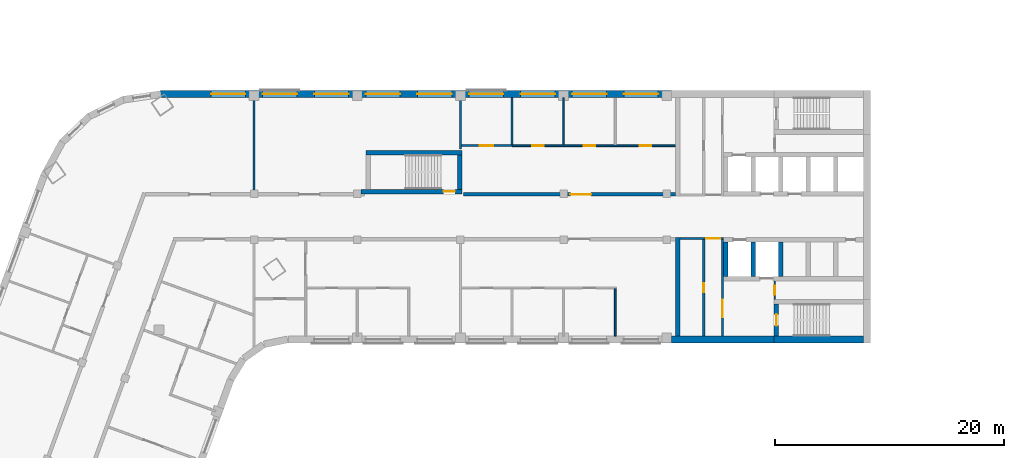
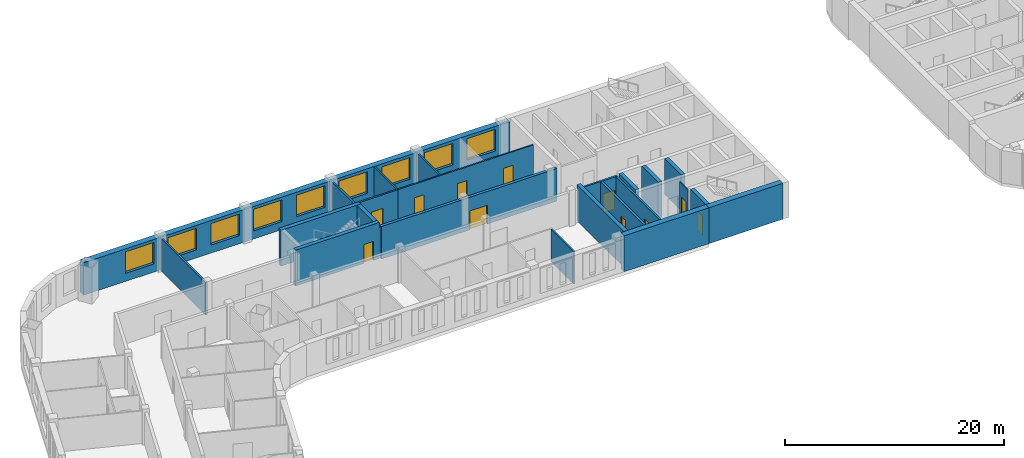
# One storey, part 5 of 12: 23 walls, 11 doors, 9 windows, 20 openings.
"""IFC4 building model written with IfcOpenShell, lengths in metres."""

from ifc_helpers import new_model, si_unit, direction, frame, frame_2d, origin, place, context, subcontext, project, spatial, rectangle, extrude, material, layer, layer_set, type_object, element, fill, save


model = new_model("IFC4")

# Units and contexts
model_context = context("Model", 3, precision=1e-05, world=origin(), true_north=direction((0.0, 1.0)))
body_context = subcontext(model_context, "Body", "Model", "MODEL_VIEW")
ifc_project = project(units=[si_unit("LENGTHUNIT", "METRE"), si_unit("AREAUNIT", "SQUARE_METRE"), si_unit("VOLUMEUNIT", "CUBIC_METRE"), si_unit("PLANEANGLEUNIT", "RADIAN"), si_unit("MASSUNIT", "GRAM", prefix="KILO")], contexts=[model_context])

# Site, building, storey
site_placement = place(None, origin())
site = spatial("IfcSite", under=ifc_project, at=site_placement, CompositionType="ELEMENT")
building_placement = place(site_placement, origin())
building = spatial("IfcBuilding", under=site, at=building_placement, Name="Skarvind Civic Tower", CompositionType="ELEMENT")
storey_placement = place(building_placement, frame((0.0, 0.0, 85.0)))
storey = spatial("IfcBuildingStorey", under=building, at=storey_placement, Name="L19", CompositionType="ELEMENT", Elevation=85.0)

# Walls
ifc_material_1 = material(Name="Acoustic gypsum board on steel studs", Category="steel")
ifc_layer_1 = layer(ifc_material_1, 0.175048828125)
ifc_layer_set_1 = layer_set([ifc_layer_1], Name="ACOUSTIC MEETING-ROOM PARTITION 175")
wall_type_1 = type_object("IfcWallType", Name="ACOUSTIC MEETING-ROOM PARTITION 175", PredefinedType="PARTITIONING", material=ifc_layer_set_1)
wall_1_placement = place(storey_placement, frame((54.25, 138.39990234375, 0.0), z_axis=(0.0, 0.0, 1.0), x_axis=(0.0, -1.0, 0.0)))
element("IfcWall", 1, at=wall_1_placement, inside=storey, type_object=wall_type_1, Name="Partition 19.022", PredefinedType="PARTITIONING", context=body_context, shape_type="SweptSolid", body=[
    extrude(rectangle(XDim=8.2998046875, YDim=0.175048828125, at=frame_2d((4.14990234375, 0.0))), origin(), (0.0, 0.0, 1.0), 3.625),
])
wall_2_placement = place(storey_placement, frame((72.25, 133.89990234375, 0.0), z_axis=(0.0, 0.0, 1.0), x_axis=(0.0, 1.0, 0.0)))
element("IfcWall", 2, at=wall_2_placement, inside=storey, type_object=wall_type_1, Name="Partition 19.029", PredefinedType="PARTITIONING", context=body_context, shape_type="SweptSolid", body=[
    extrude(rectangle(XDim=4.5, YDim=0.175048828125, at=frame_2d((2.25, 0.0))), origin(), (0.0, 0.0, 1.0), 3.625),
])

# Wall, opening, door
wall_3_placement = place(storey_placement, frame((76.75, 134.199951171875, 0.0), z_axis=(0.0, 0.0, 1.0), x_axis=(-1.0, 0.0, 0.0)))
wall_3 = element("IfcWall", 3, at=wall_3_placement, inside=storey, type_object=wall_type_1, Name="Partition 19.030", PredefinedType="PARTITIONING", context=body_context, shape_type="SweptSolid", body=[
    extrude(rectangle(XDim=4.412109375, YDim=0.175048828125, at=frame_2d((2.2060546875, 0.0))), origin(), (0.0, 0.0, 1.0), 3.625),
])
opening_1_placement = place(wall_3_placement, frame((1.615966796875, 0.0, 0.0)))
opening_1 = element("IfcOpeningElement", 4, at=opening_1_placement, cuts=wall_3, Name="Opening L19-D004", PredefinedType="OPENING", context=body_context, shape_type="SweptSolid", body=[
    extrude(rectangle(XDim=1.199951171875, YDim=2.10009765625, at=frame_2d((0.60009765625, 1.050048828125))), frame((0.0, 0.097412109375, 0.0), z_axis=(0.0, -1.0, 0.0), x_axis=(1.0, 0.0, 0.0)), (0.0, 0.0, 1.0), 0.195068359375),
])
ifc_material_2 = material(Name="Timber door leaf", Category="wood")
door_type_1 = type_object("IfcDoorType", Name="DOOR 1200X2100 DOUBLE TIMBER", OperationType="NOTDEFINED", PredefinedType="DOOR", material=ifc_material_2)
door_1_placement = place(opening_1_placement, origin())
door_1 = element("IfcDoor", 5, at=door_1_placement, inside=storey, type_object=door_type_1, Name="Door L19-D004", OperationType="DOUBLE_DOOR_SINGLE_SWING", OverallHeight=2.10009765625, OverallWidth=1.199951171875, PredefinedType="DOOR", context=body_context, shape_type="SweptSolid", body=[
    extrude(rectangle(XDim=1.199951171875, YDim=2.10009765625, at=frame_2d((0.60009765625, 1.050048828125))), frame((0.0, 0.02490234375, 0.0), z_axis=(0.0, -1.0, 0.0), x_axis=(1.0, 0.0, 0.0)), (0.0, 0.0, 1.0), 0.050048828125),
])
fill(opening_1, door_1)

# Wall
wall_4_placement = place(storey_placement, frame((76.75, 134.2880859375, 0.0), z_axis=(0.0, 0.0, 1.0), x_axis=(0.0, 1.0, 0.0)))
element("IfcWall", 6, at=wall_4_placement, inside=storey, type_object=wall_type_1, Name="Partition 19.033", PredefinedType="PARTITIONING", context=body_context, shape_type="SweptSolid", body=[
    extrude(rectangle(XDim=4.11181640625, YDim=0.175048828125, at=frame_2d((2.055908203125, 0.0))), origin(), (0.0, 0.0, 1.0), 3.625),
])

# Wall, opening, door
ifc_material_3 = material(Name="Fire-rated gypsum board on steel studs", Category="steel")
ifc_layer_2 = layer(ifc_material_3, 0.300048828125)
ifc_layer_set_2 = layer_set([ifc_layer_2], Name="CORRIDOR WALL 300")
wall_type_2 = type_object("IfcWallType", Name="CORRIDOR WALL 300", PredefinedType="PARTITIONING", material=ifc_layer_set_2)
wall_5_placement = place(storey_placement, frame((72.5, 129.949951171875, 0.0), z_axis=(0.0, 0.0, 1.0), x_axis=(1.0, 0.0, 0.0)))
wall_5 = element("IfcWall", 7, at=wall_5_placement, inside=storey, type_object=wall_type_2, Name="Partition 19.031", PredefinedType="PARTITIONING", context=body_context, shape_type="SweptSolid", body=[
    extrude(rectangle(XDim=18.5, YDim=0.300048828125, at=frame_2d((9.25, 0.0))), origin(), (0.0, 0.0, 1.0), 3.625),
])
opening_2_placement = place(wall_5_placement, frame((9.35009765625, 0.0, 0.0)))
opening_2 = element("IfcOpeningElement", 8, at=opening_2_placement, cuts=wall_5, Name="Opening L19-D005", PredefinedType="OPENING", context=body_context, shape_type="SweptSolid", body=[
    extrude(rectangle(XDim=1.800048828125, YDim=2.10009765625, at=frame_2d((0.89990234375, 1.050048828125))), frame((0.0, 0.159912109375, 0.0), z_axis=(0.0, -1.0, 0.0), x_axis=(1.0, 0.0, 0.0)), (0.0, 0.0, 1.0), 0.320068359375),
])
ifc_material_4 = material(Name="Fire-rated timber door leaf", Category="wood")
door_type_2 = type_object("IfcDoorType", Name="FD4 1800x2100", OperationType="NOTDEFINED", PredefinedType="DOOR", material=ifc_material_4)
door_2_placement = place(opening_2_placement, origin())
door_2 = element("IfcDoor", 9, at=door_2_placement, inside=storey, type_object=door_type_2, Name="Door L19-D005", OperationType="DOUBLE_DOOR_SINGLE_SWING", OverallHeight=2.10009765625, OverallWidth=1.800048828125, PredefinedType="DOOR", context=body_context, shape_type="SweptSolid", body=[
    extrude(rectangle(XDim=1.800048828125, YDim=2.10009765625, at=frame_2d((0.89990234375, 1.050048828125))), frame((0.0, 0.02490234375, 0.0), z_axis=(0.0, -1.0, 0.0), x_axis=(1.0, 0.0, 0.0)), (0.0, 0.0, 1.0), 0.050048828125),
])
fill(opening_2, door_2)

ifc_material_5 = material(Name="Fire-rated masonry partition", Category="masonry")
ifc_layer_3 = layer(ifc_material_5, 0.199951171875)
ifc_layer_set_3 = layer_set([ifc_layer_3], Name="Core enclosure wall 200")
wall_type_3 = type_object("IfcWallType", Name="Core enclosure wall 200", PredefinedType="PARTITIONING", material=ifc_layer_set_3)
wall_6_placement = place(storey_placement, frame((95.199951171875, 126.10009765625, 0.0), z_axis=(0.0, 0.0, 1.0), x_axis=(-1.0, 0.0, 0.0)))
wall_6 = element("IfcWall", 10, at=wall_6_placement, inside=storey, type_object=wall_type_3, Name="Core wall C1", PredefinedType="PARTITIONING", context=body_context, shape_type="SweptSolid", body=[
    extrude(rectangle(XDim=3.800048828125, YDim=0.199951171875, at=frame_2d((1.89990234375, 0.0))), origin(), (0.0, 0.0, 1.0), 3.625),
])
opening_3_placement = place(wall_6_placement, frame((0.300048828125, 0.0, 0.0)))
opening_3 = element("IfcOpeningElement", 11, at=opening_3_placement, cuts=wall_6, Name="Opening D-L19-C1-05", PredefinedType="OPENING", context=body_context, shape_type="SweptSolid", body=[
    extrude(rectangle(XDim=1.199951171875, YDim=2.10009765625, at=frame_2d((0.60009765625, 1.050048828125))), frame((0.0, 0.10986328125, 0.0), z_axis=(0.0, -1.0, 0.0), x_axis=(1.0, 0.0, 0.0)), (0.0, 0.0, 1.0), 0.219970703125),
])
ifc_material_6 = material(Name="Fire-rated steel door", Category="steel")
door_type_3 = type_object("IfcDoorType", Name="Core lobby door 1200", OperationType="NOTDEFINED", PredefinedType="DOOR", material=ifc_material_6)
door_3_placement = place(opening_3_placement, origin())
door_3 = element("IfcDoor", 12, at=door_3_placement, inside=storey, type_object=door_type_3, Name="Fire door", OperationType="DOUBLE_DOOR_SINGLE_SWING", OverallHeight=2.10009765625, OverallWidth=1.199951171875, PredefinedType="DOOR", context=body_context, shape_type="SweptSolid", body=[
    extrude(rectangle(XDim=1.199951171875, YDim=2.10009765625, at=frame_2d((0.60009765625, 1.050048828125))), frame((0.0, 0.02490234375, 0.0), z_axis=(0.0, -1.0, 0.0), x_axis=(1.0, 0.0, 0.0)), (0.0, 0.0, 1.0), 0.050048828125),
])
fill(opening_3, door_3)

wall_7_placement = place(storey_placement, frame((95.10009765625, 117.60009765625, 0.0), z_axis=(0.0, 0.0, 1.0), x_axis=(0.0, 1.0, 0.0)))
wall_7 = element("IfcWall", 13, at=wall_7_placement, inside=storey, type_object=wall_type_3, Name="Core wall C1", PredefinedType="PARTITIONING", context=body_context, shape_type="SweptSolid", body=[
    extrude(rectangle(XDim=8.39990234375, YDim=0.199951171875, at=frame_2d((4.199951171875, 0.0))), origin(), (0.0, 0.0, 1.0), 3.625),
])
opening_4_placement = place(wall_7_placement, frame((1.64990234375, 0.0, 0.0)))
opening_4 = element("IfcOpeningElement", 14, at=opening_4_placement, cuts=wall_7, Name="Opening D-L19-C1-06", PredefinedType="OPENING", context=body_context, shape_type="SweptSolid", body=[
    extrude(rectangle(XDim=1.5, YDim=2.10009765625, at=frame_2d((0.75, 1.050048828125))), frame((0.0, 0.10986328125, 0.0), z_axis=(0.0, -1.0, 0.0), x_axis=(1.0, 0.0, 0.0)), (0.0, 0.0, 1.0), 0.219970703125),
])
door_type_4 = type_object("IfcDoorType", Name="Fire door 1500", OperationType="NOTDEFINED", PredefinedType="DOOR", material=ifc_material_6)
door_4_placement = place(opening_4_placement, origin())
door_4 = element("IfcDoor", 15, at=door_4_placement, inside=storey, type_object=door_type_4, Name="Fire door", OperationType="DOUBLE_DOOR_SINGLE_SWING", OverallHeight=2.10009765625, OverallWidth=1.5, PredefinedType="DOOR", context=body_context, shape_type="SweptSolid", body=[
    extrude(rectangle(XDim=1.5, YDim=2.10009765625, at=frame_2d((0.75, 1.050048828125))), frame((0.0, 0.02490234375, 0.0), z_axis=(0.0, -1.0, 0.0), x_axis=(1.0, 0.0, 0.0)), (0.0, 0.0, 1.0), 0.050048828125),
])
fill(opening_4, door_4)

ifc_material_7 = material(Name="Concrete C80", Category="concrete")
ifc_layer_4 = layer(ifc_material_7, 0.39990234375)
ifc_layer_set_4 = layer_set([ifc_layer_4], Name="Core wall 400 C80")
wall_type_4 = type_object("IfcWallType", Name="Core wall 400 C80", PredefinedType="SHEAR", material=ifc_layer_set_4)
wall_8_placement = place(storey_placement, frame((99.800048828125, 120.39990234375, 0.0), z_axis=(0.0, 0.0, 1.0), x_axis=(0.0, -1.0, 0.0)))
wall_8 = element("IfcWall", 16, at=wall_8_placement, inside=storey, type_object=wall_type_4, Name="Core wall C1 north stair end L19", PredefinedType="SHEAR", context=body_context, shape_type="SweptSolid", body=[
    extrude(rectangle(XDim=2.7998046875, YDim=0.39990234375, at=frame_2d((1.39990234375, 0.0))), origin(), (0.0, 0.0, 1.0), 4.0),
])
opening_5_placement = place(wall_8_placement, frame((0.89990234375, 0.0, 0.0)))
opening_5 = element("IfcOpeningElement", 17, at=opening_5_placement, cuts=wall_8, Name="Opening D-L19-C1-07", PredefinedType="OPENING", context=body_context, shape_type="SweptSolid", body=[
    extrude(rectangle(XDim=1.0, YDim=2.10009765625, at=frame_2d((0.5, 1.050048828125))), frame((0.0, 0.2099609375, 0.0), z_axis=(0.0, -1.0, 0.0), x_axis=(1.0, 0.0, 0.0)), (0.0, 0.0, 1.0), 0.419921875),
])
door_type_5 = type_object("IfcDoorType", Name="Fire door 1000", OperationType="NOTDEFINED", PredefinedType="DOOR", material=ifc_material_6)
door_5_placement = place(opening_5_placement, origin())
door_5 = element("IfcDoor", 18, at=door_5_placement, inside=storey, type_object=door_type_5, Name="Fire door", OperationType="SINGLE_SWING_LEFT", OverallHeight=2.10009765625, OverallWidth=1.0, PredefinedType="DOOR", context=body_context, shape_type="SweptSolid", body=[
    extrude(rectangle(XDim=1.0, YDim=2.10009765625, at=frame_2d((0.5, 1.050048828125))), frame((0.0, 0.02490234375, 0.0), z_axis=(0.0, -1.0, 0.0), x_axis=(1.0, 0.0, 0.0)), (0.0, 0.0, 1.0), 0.050048828125),
])
fill(opening_5, door_5)

# Walls
for number, where, z_axis, x_axis, name in (
    (19, (100.199951171875, 125.800048828125, 0.0), (0.0, 0.0, 1.0), (0.0, -1.0, 0.0), "Core wall C1 north lift row division 3 L19"),
    (20, (97.800048828125, 125.800048828125, 0.0), (0.0, 0.0, 1.0), (0.0, -1.0, 0.0), "Core wall C1 north lift row division 4 L19"),
    (21, (95.39990234375, 125.800048828125, 0.0), (0.0, 0.0, 1.0), (0.0, -1.0, 0.0), "Core wall C1 north lift row division 5 L19"),
):
    element("IfcWall", number, at=place(storey_placement, frame(where, z_axis=z_axis, x_axis=x_axis)), inside=storey, type_object=wall_type_4, Name=name, PredefinedType="SHEAR", context=body_context, shape_type="SweptSolid", body=[
        extrude(rectangle(XDim=3.0, YDim=0.39990234375, at=frame_2d((1.5, 0.0))), origin(), (0.0, 0.0, 1.0), 4.0),
    ])
wall_9_placement = place(storey_placement, frame((91.199951171875, 126.199951171875, 0.0), z_axis=(0.0, 0.0, 1.0), x_axis=(0.0, -1.0, 0.0)))
element("IfcWall", 22, at=wall_9_placement, inside=storey, type_object=wall_type_4, Name="Core wall C1 north inner face L19", PredefinedType="SHEAR", context=body_context, shape_type="SweptSolid", body=[
    extrude(rectangle(XDim=8.599853515625, YDim=0.39990234375, at=frame_2d((4.2998046875, 0.0))), origin(), (0.0, 0.0, 1.0), 4.0),
])

# Wall, opening, door
wall_10_placement = place(storey_placement, frame((63.574951171875, 130.199951171875, 0.0), z_axis=(0.0, 0.0, 1.0), x_axis=(1.0, 0.0, 0.0)))
wall_10 = element("IfcWall", 23, at=wall_10_placement, inside=storey, type_object=wall_type_4, Name="Core wall CM inner L19", PredefinedType="SHEAR", context=body_context, shape_type="SweptSolid", body=[
    extrude(rectangle(XDim=8.824951171875, YDim=0.39990234375, at=frame_2d((4.41259765625, 0.0))), origin(), (0.0, 0.0, 1.0), 4.0),
])
opening_6_placement = place(wall_10_placement, frame((7.199951171875, 0.0, 0.0)))
opening_6 = element("IfcOpeningElement", 24, at=opening_6_placement, cuts=wall_10, Name="Opening D-L19-CM-01", PredefinedType="OPENING", context=body_context, shape_type="SweptSolid", body=[
    extrude(rectangle(XDim=1.0, YDim=2.10009765625, at=frame_2d((0.5, 1.050048828125))), frame((0.0, 0.2099609375, 0.0), z_axis=(0.0, -1.0, 0.0), x_axis=(1.0, 0.0, 0.0)), (0.0, 0.0, 1.0), 0.419921875),
])
door_6_placement = place(opening_6_placement, origin())
door_6 = element("IfcDoor", 25, at=door_6_placement, inside=storey, type_object=door_type_5, Name="Fire door", OperationType="SINGLE_SWING_LEFT", OverallHeight=2.10009765625, OverallWidth=1.0, PredefinedType="DOOR", context=body_context, shape_type="SweptSolid", body=[
    extrude(rectangle(XDim=1.0, YDim=2.10009765625, at=frame_2d((0.5, 1.050048828125))), frame((0.0, 0.02490234375, 0.0), z_axis=(0.0, -1.0, 0.0), x_axis=(1.0, 0.0, 0.0)), (0.0, 0.0, 1.0), 0.050048828125),
])
fill(opening_6, door_6)

# Walls
wall_11_placement = place(storey_placement, frame((64.0, 133.60009765625, 0.0), z_axis=(0.0, 0.0, 1.0), x_axis=(1.0, 0.0, 0.0)))
element("IfcWall", 26, at=wall_11_placement, inside=storey, type_object=wall_type_4, Name="Core wall CM outer L19", PredefinedType="SHEAR", context=body_context, shape_type="SweptSolid", body=[
    extrude(rectangle(XDim=8.39990234375, YDim=0.39990234375, at=frame_2d((4.199951171875, 0.0))), origin(), (0.0, 0.0, 1.0), 4.0),
])
wall_12_placement = place(storey_placement, frame((72.199951171875, 130.39990234375, 0.0), z_axis=(0.0, 0.0, 1.0), x_axis=(0.0, 1.0, 0.0)))
element("IfcWall", 27, at=wall_12_placement, inside=storey, type_object=wall_type_4, Name="Core wall CM end L19", PredefinedType="SHEAR", context=body_context, shape_type="SweptSolid", body=[
    extrude(rectangle(XDim=3.0, YDim=0.39990234375, at=frame_2d((1.5, 0.0))), origin(), (0.0, 0.0, 1.0), 4.0),
])
ifc_layer_5 = layer(ifc_material_7, 0.60009765625)
ifc_layer_set_5 = layer_set([ifc_layer_5], Name="Core wall 600 C80")
wall_type_5 = type_object("IfcWallType", Name="Core wall 600 C80", PredefinedType="SHEAR", material=ifc_layer_set_5)
wall_13_placement = place(storey_placement, frame((107.39990234375, 117.300048828125, 0.0), z_axis=(0.0, 0.0, 1.0), x_axis=(-1.0, 0.0, 0.0)))
element("IfcWall", 28, at=wall_13_placement, inside=storey, type_object=wall_type_5, Name="Core wall C1 north side at the stair L19", PredefinedType="SHEAR", context=body_context, shape_type="SweptSolid", body=[
    extrude(rectangle(XDim=7.7998046875, YDim=0.60009765625, at=frame_2d((3.89990234375, 0.0))), origin(), (0.0, 0.0, 1.0), 4.0),
])
wall_14_placement = place(storey_placement, frame((99.60009765625, 117.300048828125, 0.0), z_axis=(0.0, 0.0, 1.0), x_axis=(-1.0, 0.0, 0.0)))
element("IfcWall", 29, at=wall_14_placement, inside=storey, type_object=wall_type_5, Name="Core wall C1 north side L19", PredefinedType="SHEAR", context=body_context, shape_type="SweptSolid", body=[
    extrude(rectangle(XDim=8.925048828125, YDim=0.60009765625, at=frame_2d((4.46240234375, 0.0))), origin(), (0.0, 0.0, 1.0), 4.0),
])

# Wall, openings, doors
ifc_material_8 = material(Name="Plasterboard partition on steel studs", Category="steel")
ifc_layer_6 = layer(ifc_material_8, 0.14990234375)
ifc_layer_set_6 = layer_set([ifc_layer_6], Name="PARTITION 150")
wall_type_6 = type_object("IfcWallType", Name="PARTITION 150", PredefinedType="PARTITIONING", material=ifc_layer_set_6)
wall_15_placement = place(storey_placement, frame((91.0, 134.199951171875, 0.0), z_axis=(0.0, 0.0, 1.0), x_axis=(-1.0, 0.0, 0.0)))
wall_15 = element("IfcWall", 30, at=wall_15_placement, inside=storey, type_object=wall_type_6, Name="Partition 19.034", PredefinedType="PARTITIONING", context=body_context, shape_type="SweptSolid", body=[
    extrude(rectangle(XDim=14.25, YDim=0.14990234375, at=frame_2d((7.125, 0.0))), origin(), (0.0, 0.0, 1.0), 3.625),
])
opening_7_placement = place(wall_15_placement, frame((2.125, 0.0, 0.0)))
opening_7 = element("IfcOpeningElement", 31, at=opening_7_placement, cuts=wall_15, Name="Opening L19-D001", PredefinedType="OPENING", context=body_context, shape_type="SweptSolid", body=[
    extrude(rectangle(XDim=1.0, YDim=2.10009765625, at=frame_2d((0.5, 1.050048828125))), frame((0.0, 0.0849609375, 0.0), z_axis=(0.0, -1.0, 0.0), x_axis=(1.0, 0.0, 0.0)), (0.0, 0.0, 1.0), 0.169921875),
])
opening_8_placement = place(wall_15_placement, frame((7.0, 0.0, 0.0)))
opening_8 = element("IfcOpeningElement", 32, at=opening_8_placement, cuts=wall_15, Name="Opening L19-D002", PredefinedType="OPENING", context=body_context, shape_type="SweptSolid", body=[
    extrude(rectangle(XDim=1.0, YDim=2.10009765625, at=frame_2d((0.5, 1.050048828125))), frame((0.0, 0.0849609375, 0.0), z_axis=(0.0, -1.0, 0.0), x_axis=(1.0, 0.0, 0.0)), (0.0, 0.0, 1.0), 0.169921875),
])
opening_9_placement = place(wall_15_placement, frame((11.5, 0.0, 0.0)))
opening_9 = element("IfcOpeningElement", 33, at=opening_9_placement, cuts=wall_15, Name="Opening L19-D003", PredefinedType="OPENING", context=body_context, shape_type="SweptSolid", body=[
    extrude(rectangle(XDim=1.0, YDim=2.10009765625, at=frame_2d((0.5, 1.050048828125))), frame((0.0, 0.0849609375, 0.0), z_axis=(0.0, -1.0, 0.0), x_axis=(1.0, 0.0, 0.0)), (0.0, 0.0, 1.0), 0.169921875),
])
door_type_6 = type_object("IfcDoorType", Name="D1 1000x2100", OperationType="NOTDEFINED", PredefinedType="DOOR", material=ifc_material_2)
door_7_placement = place(opening_7_placement, origin())
door_7 = element("IfcDoor", 34, at=door_7_placement, inside=storey, type_object=door_type_6, Name="Door L19-D001", OperationType="SINGLE_SWING_LEFT", OverallHeight=2.10009765625, OverallWidth=1.0, PredefinedType="DOOR", context=body_context, shape_type="SweptSolid", body=[
    extrude(rectangle(XDim=1.0, YDim=2.10009765625, at=frame_2d((0.5, 1.050048828125))), frame((0.0, 0.02490234375, 0.0), z_axis=(0.0, -1.0, 0.0), x_axis=(1.0, 0.0, 0.0)), (0.0, 0.0, 1.0), 0.050048828125),
])
fill(opening_7, door_7)
door_8_placement = place(opening_8_placement, origin())
door_8 = element("IfcDoor", 35, at=door_8_placement, inside=storey, type_object=door_type_6, Name="Door L19-D002", OperationType="SINGLE_SWING_RIGHT", OverallHeight=2.10009765625, OverallWidth=1.0, PredefinedType="DOOR", context=body_context, shape_type="SweptSolid", body=[
    extrude(rectangle(XDim=1.0, YDim=2.10009765625, at=frame_2d((0.5, 1.050048828125))), frame((0.0, 0.02490234375, 0.0), z_axis=(0.0, -1.0, 0.0), x_axis=(1.0, 0.0, 0.0)), (0.0, 0.0, 1.0), 0.050048828125),
])
fill(opening_8, door_8)
door_9_placement = place(opening_9_placement, origin())
door_9 = element("IfcDoor", 36, at=door_9_placement, inside=storey, type_object=door_type_6, Name="Door L19-D003", OperationType="SINGLE_SWING_LEFT", OverallHeight=2.10009765625, OverallWidth=1.0, PredefinedType="DOOR", context=body_context, shape_type="SweptSolid", body=[
    extrude(rectangle(XDim=1.0, YDim=2.10009765625, at=frame_2d((0.5, 1.050048828125))), frame((0.0, 0.02490234375, 0.0), z_axis=(0.0, -1.0, 0.0), x_axis=(1.0, 0.0, 0.0)), (0.0, 0.0, 1.0), 0.050048828125),
])
fill(opening_9, door_9)

# Walls
for number, where, z_axis, x_axis, name in (
    (37, (81.25, 134.27490234375, 0.0), (0.0, 0.0, 1.0), (0.0, 1.0, 0.0), "Partition 19.036"),
    (38, (85.75, 117.60009765625, 0.0), (0.0, 0.0, 1.0), (0.0, 1.0, 0.0), "Partition 19.037"),
):
    element("IfcWall", number, at=place(storey_placement, frame(where, z_axis=z_axis, x_axis=x_axis)), inside=storey, type_object=wall_type_6, Name=name, PredefinedType="PARTITIONING", context=body_context, shape_type="SweptSolid", body=[
        extrude(rectangle(XDim=4.125, YDim=0.14990234375, at=frame_2d((2.0625, 0.0))), origin(), (0.0, 0.0, 1.0), 3.625),
    ])

# Wall, opening, door
ifc_layer_7 = layer(ifc_material_5, 0.125)
ifc_layer_set_7 = layer_set([ifc_layer_7], Name="Riser wall 125")
wall_type_7 = type_object("IfcWallType", Name="Riser wall 125", PredefinedType="PARTITIONING", material=ifc_layer_set_7)
wall_16_placement = place(storey_placement, frame((99.66259765625, 120.800048828125, 0.0), z_axis=(0.0, 0.0, 1.0), x_axis=(0.0, 1.0, 0.0)))
wall_16 = element("IfcWall", 39, at=wall_16_placement, inside=storey, type_object=wall_type_7, Name="Core wall C1", PredefinedType="PARTITIONING", context=body_context, shape_type="SweptSolid", body=[
    extrude(rectangle(XDim=1.599853515625, YDim=0.125, at=frame_2d((0.7998046875, 0.0))), origin(), (0.0, 0.0, 1.0), 3.625),
])
opening_10_placement = place(wall_16_placement, frame((0.39990234375, 0.0, 0.0)))
opening_10 = element("IfcOpeningElement", 40, at=opening_10_placement, cuts=wall_16, Name="Opening D-L19-C1-08", PredefinedType="OPENING", context=body_context, shape_type="SweptSolid", body=[
    extrude(rectangle(XDim=0.800048828125, YDim=2.10009765625, at=frame_2d((0.39990234375, 1.050048828125))), frame((0.0, 0.072509765625, 0.0), z_axis=(0.0, -1.0, 0.0), x_axis=(1.0, 0.0, 0.0)), (0.0, 0.0, 1.0), 0.14501953125),
])
door_type_7 = type_object("IfcDoorType", Name="Core riser door 800", OperationType="NOTDEFINED", PredefinedType="DOOR", material=ifc_material_6)
door_10_placement = place(opening_10_placement, origin())
door_10 = element("IfcDoor", 41, at=door_10_placement, inside=storey, type_object=door_type_7, Name="Riser door", OperationType="SINGLE_SWING_RIGHT", OverallHeight=2.10009765625, OverallWidth=0.800048828125, PredefinedType="DOOR", context=body_context, shape_type="SweptSolid", body=[
    extrude(rectangle(XDim=0.800048828125, YDim=2.10009765625, at=frame_2d((0.39990234375, 1.050048828125))), frame((0.0, 0.02490234375, 0.0), z_axis=(0.0, -1.0, 0.0), x_axis=(1.0, 0.0, 0.0)), (0.0, 0.0, 1.0), 0.050048828125),
])
fill(opening_10, door_10)

ifc_layer_8 = layer(ifc_material_5, 0.25)
ifc_layer_set_8 = layer_set([ifc_layer_8], Name="Service block wall 250")
wall_type_8 = type_object("IfcWallType", Name="Service block wall 250", PredefinedType="PARTITIONING", material=ifc_layer_set_8)
wall_17_placement = place(storey_placement, frame((93.47509765625, 117.60009765625, 0.0), z_axis=(0.0, 0.0, 1.0), x_axis=(0.0, 1.0, 0.0)))
wall_17 = element("IfcWall", 42, at=wall_17_placement, inside=storey, type_object=wall_type_8, Name="Core wall C1", PredefinedType="PARTITIONING", context=body_context, shape_type="SweptSolid", body=[
    extrude(rectangle(XDim=8.39990234375, YDim=0.25, at=frame_2d((4.199951171875, 0.0))), origin(), (0.0, 0.0, 1.0), 3.625),
])
opening_11_placement = place(wall_17_placement, frame((3.800048828125, 0.0, 0.0)))
opening_11 = element("IfcOpeningElement", 43, at=opening_11_placement, cuts=wall_17, Name="Opening D-L19-C1-09", PredefinedType="OPENING", context=body_context, shape_type="SweptSolid", body=[
    extrude(rectangle(XDim=0.800048828125, YDim=2.10009765625, at=frame_2d((0.39990234375, 1.050048828125))), frame((0.0, 0.135009765625, 0.0), z_axis=(0.0, -1.0, 0.0), x_axis=(1.0, 0.0, 0.0)), (0.0, 0.0, 1.0), 0.27001953125),
])
door_11_placement = place(opening_11_placement, origin())
door_11 = element("IfcDoor", 44, at=door_11_placement, inside=storey, type_object=door_type_7, Name="Riser door", OperationType="SINGLE_SWING_LEFT", OverallHeight=2.10009765625, OverallWidth=0.800048828125, PredefinedType="DOOR", context=body_context, shape_type="SweptSolid", body=[
    extrude(rectangle(XDim=0.800048828125, YDim=2.10009765625, at=frame_2d((0.39990234375, 1.050048828125))), frame((0.0, 0.02490234375, 0.0), z_axis=(0.0, -1.0, 0.0), x_axis=(1.0, 0.0, 0.0)), (0.0, 0.0, 1.0), 0.050048828125),
])
fill(opening_11, door_11)

# Wall, openings, windows
ifc_material_9 = material(Name="Limestone masonry cladding on insulated backing", Category="masonry")
ifc_layer_9 = layer(ifc_material_9, 0.60009765625)
ifc_layer_set_9 = layer_set([ifc_layer_9], Name="WX1 STONE FACADE WALL 600")
wall_type_9 = type_object("IfcWallType", Name="WX1 STONE FACADE WALL 600", PredefinedType="SOLIDWALL", material=ifc_layer_set_9)
wall_18_placement = place(storey_placement, frame((46.095458984375, 138.699951171875, 0.0), z_axis=(0.0, 0.0, 1.0), x_axis=(1.0, 0.0, 0.0)))
wall_18 = element("IfcWall", 45, at=wall_18_placement, inside=storey, type_object=wall_type_9, Name="STONE FACADE WALL", PredefinedType="SOLIDWALL", context=body_context, shape_type="SweptSolid", body=[
    extrude(rectangle(XDim=44.884521484375, YDim=0.60009765625, at=frame_2d((22.4423828125, 0.0))), origin(), (0.0, 0.0, 1.0), 3.625),
])
opening_12_placement = place(wall_18_placement, frame((4.404541015625, 0.0, 0.89990234375)))
opening_12 = element("IfcOpeningElement", 46, at=opening_12_placement, cuts=wall_18, Name="Opening WN1", PredefinedType="OPENING", context=body_context, shape_type="SweptSolid", body=[
    extrude(rectangle(XDim=3.0, YDim=2.39990234375, at=frame_2d((1.5, 1.199951171875))), frame((0.0, 0.31005859375, 0.0), z_axis=(0.0, -1.0, 0.0), x_axis=(1.0, 0.0, 0.0)), (0.0, 0.0, 1.0), 0.6201171875),
])
opening_13_placement = place(wall_18_placement, frame((8.904541015625, 0.0, 0.89990234375)))
opening_13 = element("IfcOpeningElement", 47, at=opening_13_placement, cuts=wall_18, Name="Opening WN1", PredefinedType="OPENING", context=body_context, shape_type="SweptSolid", body=[
    extrude(rectangle(XDim=3.0, YDim=2.39990234375, at=frame_2d((1.5, 1.199951171875))), frame((0.0, 0.31005859375, 0.0), z_axis=(0.0, -1.0, 0.0), x_axis=(1.0, 0.0, 0.0)), (0.0, 0.0, 1.0), 0.6201171875),
])
opening_14_placement = place(wall_18_placement, frame((13.404541015625, 0.0, 0.89990234375)))
opening_14 = element("IfcOpeningElement", 48, at=opening_14_placement, cuts=wall_18, Name="Opening WN1", PredefinedType="OPENING", context=body_context, shape_type="SweptSolid", body=[
    extrude(rectangle(XDim=3.0, YDim=2.39990234375, at=frame_2d((1.5, 1.199951171875))), frame((0.0, 0.31005859375, 0.0), z_axis=(0.0, -1.0, 0.0), x_axis=(1.0, 0.0, 0.0)), (0.0, 0.0, 1.0), 0.6201171875),
])
opening_15_placement = place(wall_18_placement, frame((17.904541015625, 0.0, 0.89990234375)))
opening_15 = element("IfcOpeningElement", 49, at=opening_15_placement, cuts=wall_18, Name="Opening WN1", PredefinedType="OPENING", context=body_context, shape_type="SweptSolid", body=[
    extrude(rectangle(XDim=3.0, YDim=2.39990234375, at=frame_2d((1.5, 1.199951171875))), frame((0.0, 0.31005859375, 0.0), z_axis=(0.0, -1.0, 0.0), x_axis=(1.0, 0.0, 0.0)), (0.0, 0.0, 1.0), 0.6201171875),
])
opening_16_placement = place(wall_18_placement, frame((22.404541015625, 0.0, 0.89990234375)))
opening_16 = element("IfcOpeningElement", 50, at=opening_16_placement, cuts=wall_18, Name="Opening WN1", PredefinedType="OPENING", context=body_context, shape_type="SweptSolid", body=[
    extrude(rectangle(XDim=3.0, YDim=2.39990234375, at=frame_2d((1.5, 1.199951171875))), frame((0.0, 0.31005859375, 0.0), z_axis=(0.0, -1.0, 0.0), x_axis=(1.0, 0.0, 0.0)), (0.0, 0.0, 1.0), 0.6201171875),
])
opening_17_placement = place(wall_18_placement, frame((26.904541015625, 0.0, 0.89990234375)))
opening_17 = element("IfcOpeningElement", 51, at=opening_17_placement, cuts=wall_18, Name="Opening WN1", PredefinedType="OPENING", context=body_context, shape_type="SweptSolid", body=[
    extrude(rectangle(XDim=3.0, YDim=2.39990234375, at=frame_2d((1.5, 1.199951171875))), frame((0.0, 0.31005859375, 0.0), z_axis=(0.0, -1.0, 0.0), x_axis=(1.0, 0.0, 0.0)), (0.0, 0.0, 1.0), 0.6201171875),
])
opening_18_placement = place(wall_18_placement, frame((31.404541015625, 0.0, 0.89990234375)))
opening_18 = element("IfcOpeningElement", 52, at=opening_18_placement, cuts=wall_18, Name="Opening WN1", PredefinedType="OPENING", context=body_context, shape_type="SweptSolid", body=[
    extrude(rectangle(XDim=3.0, YDim=2.39990234375, at=frame_2d((1.5, 1.199951171875))), frame((0.0, 0.31005859375, 0.0), z_axis=(0.0, -1.0, 0.0), x_axis=(1.0, 0.0, 0.0)), (0.0, 0.0, 1.0), 0.6201171875),
])
opening_19_placement = place(wall_18_placement, frame((35.904541015625, 0.0, 0.89990234375)))
opening_19 = element("IfcOpeningElement", 53, at=opening_19_placement, cuts=wall_18, Name="Opening WN1", PredefinedType="OPENING", context=body_context, shape_type="SweptSolid", body=[
    extrude(rectangle(XDim=3.0, YDim=2.39990234375, at=frame_2d((1.5, 1.199951171875))), frame((0.0, 0.31005859375, 0.0), z_axis=(0.0, -1.0, 0.0), x_axis=(1.0, 0.0, 0.0)), (0.0, 0.0, 1.0), 0.6201171875),
])
opening_20_placement = place(wall_18_placement, frame((40.404541015625, 0.0, 0.89990234375)))
opening_20 = element("IfcOpeningElement", 54, at=opening_20_placement, cuts=wall_18, Name="Opening WN1", PredefinedType="OPENING", context=body_context, shape_type="SweptSolid", body=[
    extrude(rectangle(XDim=3.0, YDim=2.39990234375, at=frame_2d((1.5, 1.199951171875))), frame((0.0, 0.31005859375, 0.0), z_axis=(0.0, -1.0, 0.0), x_axis=(1.0, 0.0, 0.0)), (0.0, 0.0, 1.0), 0.6201171875),
])
ifc_material_10 = material(Name="Timber frame, double glazing, timber-lined reveal", Category="wood")
window_type = type_object("IfcWindowType", Name="WN1 PUNCHED STONE WINDOW 3000 x 2400", PartitioningType="SINGLE_PANEL", PredefinedType="WINDOW", material=ifc_material_10)
window_1_placement = place(opening_12_placement, origin())
window_1 = element("IfcWindow", 55, at=window_1_placement, inside=storey, type_object=window_type, Name="WN1 WINDOW", OverallHeight=2.39990234375, OverallWidth=3.0, PartitioningType="SINGLE_PANEL", PredefinedType="WINDOW", context=body_context, shape_type="SweptSolid", body=[
    extrude(rectangle(XDim=3.0, YDim=2.39990234375, at=frame_2d((1.5, 1.199951171875))), frame((0.0, 0.030029296875, 0.0), z_axis=(0.0, -1.0, 0.0), x_axis=(1.0, 0.0, 0.0)), (0.0, 0.0, 1.0), 0.06005859375),
])
fill(opening_12, window_1)
window_2_placement = place(opening_13_placement, origin())
window_2 = element("IfcWindow", 56, at=window_2_placement, inside=storey, type_object=window_type, Name="WN1 WINDOW", OverallHeight=2.39990234375, OverallWidth=3.0, PartitioningType="SINGLE_PANEL", PredefinedType="WINDOW", context=body_context, shape_type="SweptSolid", body=[
    extrude(rectangle(XDim=3.0, YDim=2.39990234375, at=frame_2d((1.5, 1.199951171875))), frame((0.0, 0.030029296875, 0.0), z_axis=(0.0, -1.0, 0.0), x_axis=(1.0, 0.0, 0.0)), (0.0, 0.0, 1.0), 0.06005859375),
])
fill(opening_13, window_2)
window_3_placement = place(opening_14_placement, origin())
window_3 = element("IfcWindow", 57, at=window_3_placement, inside=storey, type_object=window_type, Name="WN1 WINDOW", OverallHeight=2.39990234375, OverallWidth=3.0, PartitioningType="SINGLE_PANEL", PredefinedType="WINDOW", context=body_context, shape_type="SweptSolid", body=[
    extrude(rectangle(XDim=3.0, YDim=2.39990234375, at=frame_2d((1.5, 1.199951171875))), frame((0.0, 0.030029296875, 0.0), z_axis=(0.0, -1.0, 0.0), x_axis=(1.0, 0.0, 0.0)), (0.0, 0.0, 1.0), 0.06005859375),
])
fill(opening_14, window_3)
window_4_placement = place(opening_15_placement, origin())
window_4 = element("IfcWindow", 58, at=window_4_placement, inside=storey, type_object=window_type, Name="WN1 WINDOW", OverallHeight=2.39990234375, OverallWidth=3.0, PartitioningType="SINGLE_PANEL", PredefinedType="WINDOW", context=body_context, shape_type="SweptSolid", body=[
    extrude(rectangle(XDim=3.0, YDim=2.39990234375, at=frame_2d((1.5, 1.199951171875))), frame((0.0, 0.030029296875, 0.0), z_axis=(0.0, -1.0, 0.0), x_axis=(1.0, 0.0, 0.0)), (0.0, 0.0, 1.0), 0.06005859375),
])
fill(opening_15, window_4)
window_5_placement = place(opening_16_placement, origin())
window_5 = element("IfcWindow", 59, at=window_5_placement, inside=storey, type_object=window_type, Name="WN1 WINDOW", OverallHeight=2.39990234375, OverallWidth=3.0, PartitioningType="SINGLE_PANEL", PredefinedType="WINDOW", context=body_context, shape_type="SweptSolid", body=[
    extrude(rectangle(XDim=3.0, YDim=2.39990234375, at=frame_2d((1.5, 1.199951171875))), frame((0.0, 0.030029296875, 0.0), z_axis=(0.0, -1.0, 0.0), x_axis=(1.0, 0.0, 0.0)), (0.0, 0.0, 1.0), 0.06005859375),
])
fill(opening_16, window_5)
window_6_placement = place(opening_17_placement, origin())
window_6 = element("IfcWindow", 60, at=window_6_placement, inside=storey, type_object=window_type, Name="WN1 WINDOW", OverallHeight=2.39990234375, OverallWidth=3.0, PartitioningType="SINGLE_PANEL", PredefinedType="WINDOW", context=body_context, shape_type="SweptSolid", body=[
    extrude(rectangle(XDim=3.0, YDim=2.39990234375, at=frame_2d((1.5, 1.199951171875))), frame((0.0, 0.030029296875, 0.0), z_axis=(0.0, -1.0, 0.0), x_axis=(1.0, 0.0, 0.0)), (0.0, 0.0, 1.0), 0.06005859375),
])
fill(opening_17, window_6)
window_7_placement = place(opening_18_placement, origin())
window_7 = element("IfcWindow", 61, at=window_7_placement, inside=storey, type_object=window_type, Name="WN1 WINDOW", OverallHeight=2.39990234375, OverallWidth=3.0, PartitioningType="SINGLE_PANEL", PredefinedType="WINDOW", context=body_context, shape_type="SweptSolid", body=[
    extrude(rectangle(XDim=3.0, YDim=2.39990234375, at=frame_2d((1.5, 1.199951171875))), frame((0.0, 0.030029296875, 0.0), z_axis=(0.0, -1.0, 0.0), x_axis=(1.0, 0.0, 0.0)), (0.0, 0.0, 1.0), 0.06005859375),
])
fill(opening_18, window_7)
window_8_placement = place(opening_19_placement, origin())
window_8 = element("IfcWindow", 62, at=window_8_placement, inside=storey, type_object=window_type, Name="WN1 WINDOW", OverallHeight=2.39990234375, OverallWidth=3.0, PartitioningType="SINGLE_PANEL", PredefinedType="WINDOW", context=body_context, shape_type="SweptSolid", body=[
    extrude(rectangle(XDim=3.0, YDim=2.39990234375, at=frame_2d((1.5, 1.199951171875))), frame((0.0, 0.030029296875, 0.0), z_axis=(0.0, -1.0, 0.0), x_axis=(1.0, 0.0, 0.0)), (0.0, 0.0, 1.0), 0.06005859375),
])
fill(opening_19, window_8)
window_9_placement = place(opening_20_placement, origin())
window_9 = element("IfcWindow", 63, at=window_9_placement, inside=storey, type_object=window_type, Name="WN1 WINDOW", OverallHeight=2.39990234375, OverallWidth=3.0, PartitioningType="SINGLE_PANEL", PredefinedType="WINDOW", context=body_context, shape_type="SweptSolid", body=[
    extrude(rectangle(XDim=3.0, YDim=2.39990234375, at=frame_2d((1.5, 1.199951171875))), frame((0.0, 0.030029296875, 0.0), z_axis=(0.0, -1.0, 0.0), x_axis=(1.0, 0.0, 0.0)), (0.0, 0.0, 1.0), 0.06005859375),
])
fill(opening_20, window_9)

save(model, "model.ifc")
